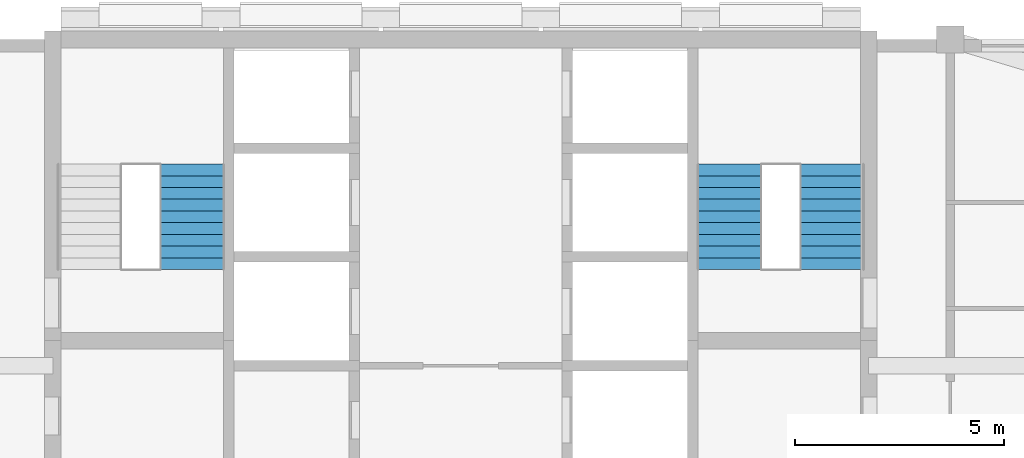
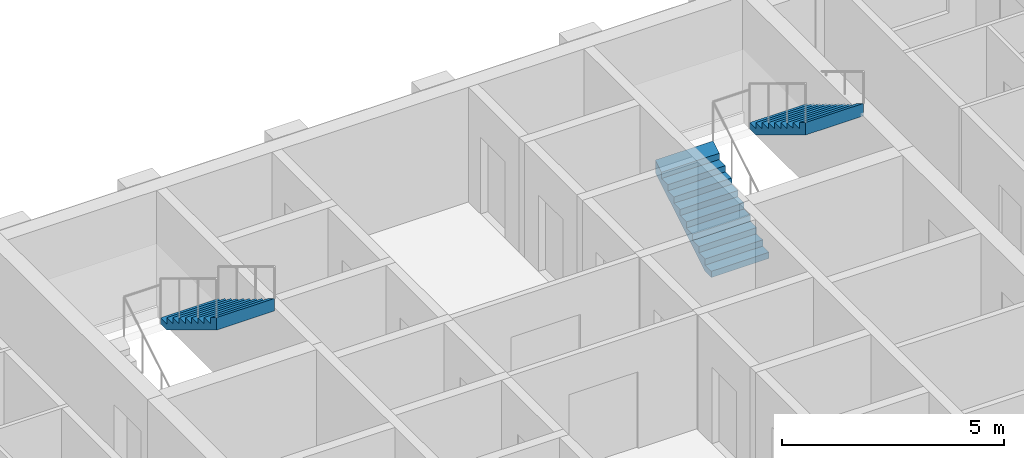
# One storey, part 11 of 13: 3 stair flights, 2 elements without a shape of their own.
"""IFC4 building model written with IfcOpenShell, lengths in metres."""

from ifc_helpers import new_model, si_unit, direction, frame, origin, place, context, subcontext, project, spatial, triangles, material, type_object, element, aggregate, save


model = new_model("IFC4")

# Units and contexts
model_context = context("Model", 3, precision=1e-05, world=origin(), true_north=direction((0.0, 1.0)))
body_context = subcontext(model_context, "Body", "Model", "MODEL_VIEW")
ifc_project = project(units=[si_unit("LENGTHUNIT", "METRE"), si_unit("AREAUNIT", "SQUARE_METRE"), si_unit("VOLUMEUNIT", "CUBIC_METRE"), si_unit("PLANEANGLEUNIT", "RADIAN"), si_unit("MASSUNIT", "GRAM", prefix="KILO")], contexts=[model_context])

# Site, building, storey
site_placement = place(None, origin())
site = spatial("IfcSite", under=ifc_project, at=site_placement, CompositionType="ELEMENT")
building_placement = place(site_placement, origin())
building = spatial("IfcBuilding", under=site, at=building_placement, Name="Ludao Terraces", CompositionType="ELEMENT")
storey_placement = place(building_placement, frame((0.0, 0.0, 246.0)))
storey = spatial("IfcBuildingStorey", under=building, at=storey_placement, Name="L67", CompositionType="ELEMENT", Elevation=246.0)

# Stair, stair flight
ifc_material = material(Name="Concrete C40", Category="concrete")
stair_type = type_object("IfcStairType", Name="INT Stair", PredefinedType="HALF_TURN_STAIR", material=ifc_material)
stair_1_placement = place(storey_placement, origin())
stair_1 = element("IfcStair", 1, at=stair_1_placement, inside=storey, type_object=stair_type, Name="EXIT STAIR 1", PredefinedType="HALF_TURN_STAIR")
stair_flight_type = type_object("IfcStairFlightType", Name="INT Stair flight", PredefinedType="STRAIGHT", material=ifc_material)
stair_flight_1_placement = place(storey_placement, frame((78.574951171875, 81.52001953125, 1.699951171875), z_axis=(0.0, 0.0, 1.0), x_axis=(0.0, -1.0, 0.0)))
stair_flight_1 = element("IfcStairFlight", 2, at=stair_flight_1_placement, type_object=stair_flight_type, Name="ST1 flight 2", NumberOfRisers=10, NumberOfTreads=9, PredefinedType="STRAIGHT", RiserHeight=0.17, TreadLength=0.28, context=body_context, shape_type="Tessellation", body=[
    triangles([(0.0, -0.75, 0.0), (0.0, -0.5, 0.0), (0.0, -0.25, 0.0), (0.0, 0.0, 0.0), (0.0, 0.25, 0.0), (0.0, 0.5, 0.0), (0.0, 0.75, 0.0), (0.0, -0.75, 0.169921875), (0.0, -0.5, 0.169921875), (0.0, -0.25, 0.169921875), (0.0, 0.0, 0.169921875), (0.0, 0.25, 0.169921875), (0.0, 0.5, 0.169921875), (0.0, 0.75, 0.169921875), (0.280029296875, -0.75, 0.169921875), (0.280029296875, -0.5, 0.169921875), (0.280029296875, -0.25, 0.169921875), (0.280029296875, 0.0, 0.169921875), (0.280029296875, 0.25, 0.169921875), (0.280029296875, 0.5, 0.169921875), (0.280029296875, 0.75, 0.169921875), (0.280029296875, -0.75, 0.340087890625), (0.280029296875, -0.5, 0.340087890625), (0.280029296875, -0.25, 0.340087890625), (0.280029296875, 0.0, 0.340087890625), (0.280029296875, 0.25, 0.340087890625), (0.280029296875, 0.5, 0.340087890625), (0.280029296875, 0.75, 0.340087890625), (0.56005859375, -0.75, 0.340087890625), (0.56005859375, -0.5, 0.340087890625), (0.56005859375, -0.25, 0.340087890625), (0.56005859375, 0.0, 0.340087890625), (0.56005859375, 0.25, 0.340087890625), (0.56005859375, 0.5, 0.340087890625), (0.56005859375, 0.75, 0.340087890625), (0.56005859375, -0.75, 0.510009765625), (0.56005859375, -0.5, 0.510009765625), (0.56005859375, -0.25, 0.510009765625), (0.56005859375, 0.0, 0.510009765625), (0.56005859375, 0.25, 0.510009765625), (0.56005859375, 0.5, 0.510009765625), (0.56005859375, 0.75, 0.510009765625), (0.840087890625, -0.75, 0.510009765625), (0.840087890625, -0.5, 0.510009765625), (0.840087890625, -0.25, 0.510009765625), (0.840087890625, 0.0, 0.510009765625), (0.840087890625, 0.25, 0.510009765625), (0.840087890625, 0.5, 0.510009765625), (0.840087890625, 0.75, 0.510009765625), (0.840087890625, -0.75, 0.679931640625), (0.840087890625, -0.5, 0.679931640625), (0.840087890625, -0.25, 0.679931640625), (0.840087890625, 0.0, 0.679931640625), (0.840087890625, 0.25, 0.679931640625), (0.840087890625, 0.5, 0.679931640625), (0.840087890625, 0.75, 0.679931640625), (1.1201171875, -0.75, 0.679931640625), (1.1201171875, -0.5, 0.679931640625), (1.1201171875, -0.25, 0.679931640625), (1.1201171875, 0.0, 0.679931640625), (1.1201171875, 0.25, 0.679931640625), (1.1201171875, 0.5, 0.679931640625), (1.1201171875, 0.75, 0.679931640625), (1.1201171875, -0.75, 0.85009765625), (1.1201171875, -0.5, 0.85009765625), (1.1201171875, -0.25, 0.85009765625), (1.1201171875, 0.0, 0.85009765625), (1.1201171875, 0.25, 0.85009765625), (1.1201171875, 0.5, 0.85009765625), (1.1201171875, 0.75, 0.85009765625), (1.39990234375, -0.75, 0.85009765625), (1.39990234375, -0.5, 0.85009765625), (1.39990234375, -0.25, 0.85009765625), (1.39990234375, 0.0, 0.85009765625), (1.39990234375, 0.25, 0.85009765625), (1.39990234375, 0.5, 0.85009765625), (1.39990234375, 0.75, 0.85009765625), (1.39990234375, -0.75, 1.02001953125), (1.39990234375, -0.5, 1.02001953125), (1.39990234375, -0.25, 1.02001953125), (1.39990234375, 0.0, 1.02001953125), (1.39990234375, 0.25, 1.02001953125), (1.39990234375, 0.5, 1.02001953125), (1.39990234375, 0.75, 1.02001953125), (1.679931640625, -0.75, 1.02001953125), (1.679931640625, -0.5, 1.02001953125), (1.679931640625, -0.25, 1.02001953125), (1.679931640625, 0.0, 1.02001953125), (1.679931640625, 0.25, 1.02001953125), (1.679931640625, 0.5, 1.02001953125), (1.679931640625, 0.75, 1.02001953125), (1.679931640625, -0.75, 1.18994140625), (1.679931640625, -0.5, 1.18994140625), (1.679931640625, -0.25, 1.18994140625), (1.679931640625, 0.0, 1.18994140625), (1.679931640625, 0.25, 1.18994140625), (1.679931640625, 0.5, 1.18994140625), (1.679931640625, 0.75, 1.18994140625), (1.9599609375, -0.75, 1.18994140625), (1.9599609375, -0.5, 1.18994140625), (1.9599609375, -0.25, 1.18994140625), (1.9599609375, 0.0, 1.18994140625), (1.9599609375, 0.25, 1.18994140625), (1.9599609375, 0.5, 1.18994140625), (1.9599609375, 0.75, 1.18994140625), (1.9599609375, -0.75, 1.360107421875), (1.9599609375, -0.5, 1.360107421875), (1.9599609375, -0.25, 1.360107421875), (1.9599609375, 0.0, 1.360107421875), (1.9599609375, 0.25, 1.360107421875), (1.9599609375, 0.5, 1.360107421875), (1.9599609375, 0.75, 1.360107421875), (2.239990234375, -0.75, 1.360107421875), (2.239990234375, -0.5, 1.360107421875), (2.239990234375, -0.25, 1.360107421875), (2.239990234375, 0.0, 1.360107421875), (2.239990234375, 0.25, 1.360107421875), (2.239990234375, 0.5, 1.360107421875), (2.239990234375, 0.75, 1.360107421875), (2.239990234375, -0.75, 1.530029296875), (2.239990234375, -0.5, 1.530029296875), (2.239990234375, -0.25, 1.530029296875), (2.239990234375, 0.0, 1.530029296875), (2.239990234375, 0.25, 1.530029296875), (2.239990234375, 0.5, 1.530029296875), (2.239990234375, 0.75, 1.530029296875), (2.52001953125, -0.75, 1.699951171875), (2.52001953125, -0.5, 1.699951171875), (2.52001953125, -0.25, 1.699951171875), (2.52001953125, 0.0, 1.699951171875), (2.52001953125, 0.25, 1.699951171875), (2.52001953125, 0.5, 1.699951171875), (2.52001953125, 0.75, 1.699951171875), (2.52001953125, -0.75, 1.354736328125), (2.52001953125, -0.5, 1.354736328125), (2.52001953125, -0.25, 1.354736328125), (2.52001953125, 0.0, 1.354736328125), (2.52001953125, 0.25, 1.354736328125), (2.52001953125, 0.5, 1.354736328125), (2.52001953125, 0.75, 1.354736328125), (0.288818359375, -0.75, 0.0), (0.288818359375, -0.5, 0.0), (0.288818359375, -0.25, 0.0), (0.288818359375, 0.0, 0.0), (0.288818359375, 0.25, 0.0), (0.288818359375, 0.5, 0.0), (0.288818359375, 0.75, 0.0)], [[1, 141, 134], [7, 140, 147], [134, 127, 120], [140, 126, 133], [134, 120, 113], [140, 119, 126], [134, 113, 106], [140, 112, 119], [134, 106, 99], [140, 105, 112], [99, 92, 85], [105, 91, 98], [134, 99, 85], [140, 91, 105], [85, 78, 71], [91, 77, 84], [134, 85, 71], [140, 77, 91], [71, 64, 57], [77, 63, 70], [134, 71, 57], [140, 63, 77], [57, 50, 43], [63, 49, 56], [134, 57, 43], [140, 49, 63], [43, 36, 29], [49, 35, 42], [134, 43, 29], [140, 35, 49], [29, 22, 15], [35, 21, 28], [134, 29, 15], [140, 21, 35], [1, 134, 15], [7, 21, 140], [15, 8, 1], [21, 7, 14], [1, 9, 2], [1, 8, 9], [2, 10, 3], [2, 9, 10], [3, 11, 4], [3, 10, 11], [4, 12, 5], [4, 11, 12], [5, 13, 6], [5, 12, 13], [6, 14, 7], [6, 13, 14], [8, 16, 9], [8, 15, 16], [9, 17, 10], [9, 16, 17], [10, 18, 11], [10, 17, 18], [11, 19, 12], [11, 18, 19], [12, 20, 13], [12, 19, 20], [13, 21, 14], [13, 20, 21], [15, 23, 16], [15, 22, 23], [16, 24, 17], [16, 23, 24], [17, 25, 18], [17, 24, 25], [18, 26, 19], [18, 25, 26], [19, 27, 20], [19, 26, 27], [20, 28, 21], [20, 27, 28], [22, 30, 23], [22, 29, 30], [23, 31, 24], [23, 30, 31], [24, 32, 25], [24, 31, 32], [25, 33, 26], [25, 32, 33], [26, 34, 27], [26, 33, 34], [27, 35, 28], [27, 34, 35], [29, 37, 30], [29, 36, 37], [30, 38, 31], [30, 37, 38], [31, 39, 32], [31, 38, 39], [32, 40, 33], [32, 39, 40], [33, 41, 34], [33, 40, 41], [34, 42, 35], [34, 41, 42], [36, 44, 37], [36, 43, 44], [37, 45, 38], [37, 44, 45], [38, 46, 39], [38, 45, 46], [39, 47, 40], [39, 46, 47], [40, 48, 41], [40, 47, 48], [41, 49, 42], [41, 48, 49], [43, 51, 44], [43, 50, 51], [44, 52, 45], [44, 51, 52], [45, 53, 46], [45, 52, 53], [46, 54, 47], [46, 53, 54], [47, 55, 48], [47, 54, 55], [48, 56, 49], [48, 55, 56], [50, 58, 51], [50, 57, 58], [51, 59, 52], [51, 58, 59], [52, 60, 53], [52, 59, 60], [53, 61, 54], [53, 60, 61], [54, 62, 55], [54, 61, 62], [55, 63, 56], [55, 62, 63], [57, 65, 58], [57, 64, 65], [58, 66, 59], [58, 65, 66], [59, 67, 60], [59, 66, 67], [60, 68, 61], [60, 67, 68], [61, 69, 62], [61, 68, 69], [62, 70, 63], [62, 69, 70], [64, 72, 65], [64, 71, 72], [65, 73, 66], [65, 72, 73], [66, 74, 67], [66, 73, 74], [67, 75, 68], [67, 74, 75], [68, 76, 69], [68, 75, 76], [69, 77, 70], [69, 76, 77], [71, 79, 72], [71, 78, 79], [72, 80, 73], [72, 79, 80], [73, 81, 74], [73, 80, 81], [74, 82, 75], [74, 81, 82], [75, 83, 76], [75, 82, 83], [76, 84, 77], [76, 83, 84], [78, 86, 79], [78, 85, 86], [79, 87, 80], [79, 86, 87], [80, 88, 81], [80, 87, 88], [81, 89, 82], [81, 88, 89], [82, 90, 83], [82, 89, 90], [83, 91, 84], [83, 90, 91], [85, 93, 86], [85, 92, 93], [86, 94, 87], [86, 93, 94], [87, 95, 88], [87, 94, 95], [88, 96, 89], [88, 95, 96], [89, 97, 90], [89, 96, 97], [90, 98, 91], [90, 97, 98], [92, 100, 93], [92, 99, 100], [93, 101, 94], [93, 100, 101], [94, 102, 95], [94, 101, 102], [95, 103, 96], [95, 102, 103], [96, 104, 97], [96, 103, 104], [97, 105, 98], [97, 104, 105], [99, 107, 100], [99, 106, 107], [100, 108, 101], [100, 107, 108], [101, 109, 102], [101, 108, 109], [102, 110, 103], [102, 109, 110], [103, 111, 104], [103, 110, 111], [104, 112, 105], [104, 111, 112], [106, 114, 107], [106, 113, 114], [107, 115, 108], [107, 114, 115], [108, 116, 109], [108, 115, 116], [109, 117, 110], [109, 116, 117], [110, 118, 111], [110, 117, 118], [111, 119, 112], [111, 118, 119], [113, 121, 114], [113, 120, 121], [114, 122, 115], [114, 121, 122], [115, 123, 116], [115, 122, 123], [116, 124, 117], [116, 123, 124], [117, 125, 118], [117, 124, 125], [118, 126, 119], [118, 125, 126], [120, 128, 121], [120, 127, 128], [121, 129, 122], [121, 128, 129], [122, 130, 123], [122, 129, 130], [123, 131, 124], [123, 130, 131], [124, 132, 125], [124, 131, 132], [125, 133, 126], [125, 132, 133], [127, 135, 128], [127, 134, 135], [128, 136, 129], [128, 135, 136], [129, 137, 130], [129, 136, 137], [130, 138, 131], [130, 137, 138], [131, 139, 132], [131, 138, 139], [132, 140, 133], [132, 139, 140], [134, 142, 135], [134, 141, 142], [135, 143, 136], [135, 142, 143], [136, 144, 137], [136, 143, 144], [137, 145, 138], [137, 144, 145], [138, 146, 139], [138, 145, 146], [139, 147, 140], [139, 146, 147], [141, 2, 142], [141, 1, 2], [142, 3, 143], [142, 2, 3], [143, 4, 144], [143, 3, 4], [144, 5, 145], [144, 4, 5], [145, 6, 146], [145, 5, 6], [146, 7, 147], [146, 6, 7]], closed=True),
])
aggregate(stair_1, [stair_flight_1])

# Stair, stair flights
stair_2_placement = place(storey_placement, origin())
stair_2 = element("IfcStair", 3, at=stair_2_placement, inside=storey, type_object=stair_type, Name="EXIT STAIR 2", PredefinedType="HALF_TURN_STAIR")
stair_flight_2_placement = place(storey_placement, frame((91.425048828125, 79.0, 0.0), z_axis=(0.0, 0.0, 1.0), x_axis=(0.0, 1.0, 0.0)))
stair_flight_2 = element("IfcStairFlight", 4, at=stair_flight_2_placement, type_object=stair_flight_type, Name="ST2 flight 1", NumberOfRisers=10, NumberOfTreads=9, PredefinedType="STRAIGHT", RiserHeight=0.17, TreadLength=0.28, context=body_context, shape_type="Tessellation", body=[
    triangles([(0.0, -0.75, 0.0), (0.0, -0.5, 0.0), (0.0, -0.25, 0.0), (0.0, 0.0, 0.0), (0.0, 0.25, 0.0), (0.0, 0.5, 0.0), (0.0, 0.75, 0.0), (0.0, -0.75, 0.169921875), (0.0, -0.5, 0.169921875), (0.0, -0.25, 0.169921875), (0.0, 0.0, 0.169921875), (0.0, 0.25, 0.169921875), (0.0, 0.5, 0.169921875), (0.0, 0.75, 0.169921875), (0.280029296875, -0.75, 0.169921875), (0.280029296875, -0.5, 0.169921875), (0.280029296875, -0.25, 0.169921875), (0.280029296875, 0.0, 0.169921875), (0.280029296875, 0.25, 0.169921875), (0.280029296875, 0.5, 0.169921875), (0.280029296875, 0.75, 0.169921875), (0.280029296875, -0.75, 0.340087890625), (0.280029296875, -0.5, 0.340087890625), (0.280029296875, -0.25, 0.340087890625), (0.280029296875, 0.0, 0.340087890625), (0.280029296875, 0.25, 0.340087890625), (0.280029296875, 0.5, 0.340087890625), (0.280029296875, 0.75, 0.340087890625), (0.56005859375, -0.75, 0.340087890625), (0.56005859375, -0.5, 0.340087890625), (0.56005859375, -0.25, 0.340087890625), (0.56005859375, 0.0, 0.340087890625), (0.56005859375, 0.25, 0.340087890625), (0.56005859375, 0.5, 0.340087890625), (0.56005859375, 0.75, 0.340087890625), (0.56005859375, -0.75, 0.510009765625), (0.56005859375, -0.5, 0.510009765625), (0.56005859375, -0.25, 0.510009765625), (0.56005859375, 0.0, 0.510009765625), (0.56005859375, 0.25, 0.510009765625), (0.56005859375, 0.5, 0.510009765625), (0.56005859375, 0.75, 0.510009765625), (0.840087890625, -0.75, 0.510009765625), (0.840087890625, -0.5, 0.510009765625), (0.840087890625, -0.25, 0.510009765625), (0.840087890625, 0.0, 0.510009765625), (0.840087890625, 0.25, 0.510009765625), (0.840087890625, 0.5, 0.510009765625), (0.840087890625, 0.75, 0.510009765625), (0.840087890625, -0.75, 0.679931640625), (0.840087890625, -0.5, 0.679931640625), (0.840087890625, -0.25, 0.679931640625), (0.840087890625, 0.0, 0.679931640625), (0.840087890625, 0.25, 0.679931640625), (0.840087890625, 0.5, 0.679931640625), (0.840087890625, 0.75, 0.679931640625), (1.1201171875, -0.75, 0.679931640625), (1.1201171875, -0.5, 0.679931640625), (1.1201171875, -0.25, 0.679931640625), (1.1201171875, 0.0, 0.679931640625), (1.1201171875, 0.25, 0.679931640625), (1.1201171875, 0.5, 0.679931640625), (1.1201171875, 0.75, 0.679931640625), (1.1201171875, -0.75, 0.85009765625), (1.1201171875, -0.5, 0.85009765625), (1.1201171875, -0.25, 0.85009765625), (1.1201171875, 0.0, 0.85009765625), (1.1201171875, 0.25, 0.85009765625), (1.1201171875, 0.5, 0.85009765625), (1.1201171875, 0.75, 0.85009765625), (1.39990234375, -0.75, 0.85009765625), (1.39990234375, -0.5, 0.85009765625), (1.39990234375, -0.25, 0.85009765625), (1.39990234375, 0.0, 0.85009765625), (1.39990234375, 0.25, 0.85009765625), (1.39990234375, 0.5, 0.85009765625), (1.39990234375, 0.75, 0.85009765625), (1.39990234375, -0.75, 1.02001953125), (1.39990234375, -0.5, 1.02001953125), (1.39990234375, -0.25, 1.02001953125), (1.39990234375, 0.0, 1.02001953125), (1.39990234375, 0.25, 1.02001953125), (1.39990234375, 0.5, 1.02001953125), (1.39990234375, 0.75, 1.02001953125), (1.679931640625, -0.75, 1.02001953125), (1.679931640625, -0.5, 1.02001953125), (1.679931640625, -0.25, 1.02001953125), (1.679931640625, 0.0, 1.02001953125), (1.679931640625, 0.25, 1.02001953125), (1.679931640625, 0.5, 1.02001953125), (1.679931640625, 0.75, 1.02001953125), (1.679931640625, -0.75, 1.18994140625), (1.679931640625, -0.5, 1.18994140625), (1.679931640625, -0.25, 1.18994140625), (1.679931640625, 0.0, 1.18994140625), (1.679931640625, 0.25, 1.18994140625), (1.679931640625, 0.5, 1.18994140625), (1.679931640625, 0.75, 1.18994140625), (1.9599609375, -0.75, 1.18994140625), (1.9599609375, -0.5, 1.18994140625), (1.9599609375, -0.25, 1.18994140625), (1.9599609375, 0.0, 1.18994140625), (1.9599609375, 0.25, 1.18994140625), (1.9599609375, 0.5, 1.18994140625), (1.9599609375, 0.75, 1.18994140625), (1.9599609375, -0.75, 1.360107421875), (1.9599609375, -0.5, 1.360107421875), (1.9599609375, -0.25, 1.360107421875), (1.9599609375, 0.0, 1.360107421875), (1.9599609375, 0.25, 1.360107421875), (1.9599609375, 0.5, 1.360107421875), (1.9599609375, 0.75, 1.360107421875), (2.239990234375, -0.75, 1.360107421875), (2.239990234375, -0.5, 1.360107421875), (2.239990234375, -0.25, 1.360107421875), (2.239990234375, 0.0, 1.360107421875), (2.239990234375, 0.25, 1.360107421875), (2.239990234375, 0.5, 1.360107421875), (2.239990234375, 0.75, 1.360107421875), (2.239990234375, -0.75, 1.530029296875), (2.239990234375, -0.5, 1.530029296875), (2.239990234375, -0.25, 1.530029296875), (2.239990234375, 0.0, 1.530029296875), (2.239990234375, 0.25, 1.530029296875), (2.239990234375, 0.5, 1.530029296875), (2.239990234375, 0.75, 1.530029296875), (2.52001953125, -0.75, 1.699951171875), (2.52001953125, -0.5, 1.699951171875), (2.52001953125, -0.25, 1.699951171875), (2.52001953125, 0.0, 1.699951171875), (2.52001953125, 0.25, 1.699951171875), (2.52001953125, 0.5, 1.699951171875), (2.52001953125, 0.75, 1.699951171875), (2.52001953125, -0.75, 1.354736328125), (2.52001953125, -0.5, 1.354736328125), (2.52001953125, -0.25, 1.354736328125), (2.52001953125, 0.0, 1.354736328125), (2.52001953125, 0.25, 1.354736328125), (2.52001953125, 0.5, 1.354736328125), (2.52001953125, 0.75, 1.354736328125), (0.288818359375, -0.75, 0.0), (0.288818359375, -0.5, 0.0), (0.288818359375, -0.25, 0.0), (0.288818359375, 0.0, 0.0), (0.288818359375, 0.25, 0.0), (0.288818359375, 0.5, 0.0), (0.288818359375, 0.75, 0.0)], [[1, 141, 134], [7, 140, 147], [134, 127, 120], [140, 126, 133], [134, 120, 113], [140, 119, 126], [134, 113, 106], [140, 112, 119], [134, 106, 99], [140, 105, 112], [99, 92, 85], [105, 91, 98], [134, 99, 85], [140, 91, 105], [85, 78, 71], [91, 77, 84], [134, 85, 71], [140, 77, 91], [71, 64, 57], [77, 63, 70], [134, 71, 57], [140, 63, 77], [57, 50, 43], [63, 49, 56], [134, 57, 43], [140, 49, 63], [43, 36, 29], [49, 35, 42], [134, 43, 29], [140, 35, 49], [29, 22, 15], [35, 21, 28], [134, 29, 15], [140, 21, 35], [1, 134, 15], [7, 21, 140], [15, 8, 1], [21, 7, 14], [1, 9, 2], [1, 8, 9], [2, 10, 3], [2, 9, 10], [3, 11, 4], [3, 10, 11], [4, 12, 5], [4, 11, 12], [5, 13, 6], [5, 12, 13], [6, 14, 7], [6, 13, 14], [8, 16, 9], [8, 15, 16], [9, 17, 10], [9, 16, 17], [10, 18, 11], [10, 17, 18], [11, 19, 12], [11, 18, 19], [12, 20, 13], [12, 19, 20], [13, 21, 14], [13, 20, 21], [15, 23, 16], [15, 22, 23], [16, 24, 17], [16, 23, 24], [17, 25, 18], [17, 24, 25], [18, 26, 19], [18, 25, 26], [19, 27, 20], [19, 26, 27], [20, 28, 21], [20, 27, 28], [22, 30, 23], [22, 29, 30], [23, 31, 24], [23, 30, 31], [24, 32, 25], [24, 31, 32], [25, 33, 26], [25, 32, 33], [26, 34, 27], [26, 33, 34], [27, 35, 28], [27, 34, 35], [29, 37, 30], [29, 36, 37], [30, 38, 31], [30, 37, 38], [31, 39, 32], [31, 38, 39], [32, 40, 33], [32, 39, 40], [33, 41, 34], [33, 40, 41], [34, 42, 35], [34, 41, 42], [36, 44, 37], [36, 43, 44], [37, 45, 38], [37, 44, 45], [38, 46, 39], [38, 45, 46], [39, 47, 40], [39, 46, 47], [40, 48, 41], [40, 47, 48], [41, 49, 42], [41, 48, 49], [43, 51, 44], [43, 50, 51], [44, 52, 45], [44, 51, 52], [45, 53, 46], [45, 52, 53], [46, 54, 47], [46, 53, 54], [47, 55, 48], [47, 54, 55], [48, 56, 49], [48, 55, 56], [50, 58, 51], [50, 57, 58], [51, 59, 52], [51, 58, 59], [52, 60, 53], [52, 59, 60], [53, 61, 54], [53, 60, 61], [54, 62, 55], [54, 61, 62], [55, 63, 56], [55, 62, 63], [57, 65, 58], [57, 64, 65], [58, 66, 59], [58, 65, 66], [59, 67, 60], [59, 66, 67], [60, 68, 61], [60, 67, 68], [61, 69, 62], [61, 68, 69], [62, 70, 63], [62, 69, 70], [64, 72, 65], [64, 71, 72], [65, 73, 66], [65, 72, 73], [66, 74, 67], [66, 73, 74], [67, 75, 68], [67, 74, 75], [68, 76, 69], [68, 75, 76], [69, 77, 70], [69, 76, 77], [71, 79, 72], [71, 78, 79], [72, 80, 73], [72, 79, 80], [73, 81, 74], [73, 80, 81], [74, 82, 75], [74, 81, 82], [75, 83, 76], [75, 82, 83], [76, 84, 77], [76, 83, 84], [78, 86, 79], [78, 85, 86], [79, 87, 80], [79, 86, 87], [80, 88, 81], [80, 87, 88], [81, 89, 82], [81, 88, 89], [82, 90, 83], [82, 89, 90], [83, 91, 84], [83, 90, 91], [85, 93, 86], [85, 92, 93], [86, 94, 87], [86, 93, 94], [87, 95, 88], [87, 94, 95], [88, 96, 89], [88, 95, 96], [89, 97, 90], [89, 96, 97], [90, 98, 91], [90, 97, 98], [92, 100, 93], [92, 99, 100], [93, 101, 94], [93, 100, 101], [94, 102, 95], [94, 101, 102], [95, 103, 96], [95, 102, 103], [96, 104, 97], [96, 103, 104], [97, 105, 98], [97, 104, 105], [99, 107, 100], [99, 106, 107], [100, 108, 101], [100, 107, 108], [101, 109, 102], [101, 108, 109], [102, 110, 103], [102, 109, 110], [103, 111, 104], [103, 110, 111], [104, 112, 105], [104, 111, 112], [106, 114, 107], [106, 113, 114], [107, 115, 108], [107, 114, 115], [108, 116, 109], [108, 115, 116], [109, 117, 110], [109, 116, 117], [110, 118, 111], [110, 117, 118], [111, 119, 112], [111, 118, 119], [113, 121, 114], [113, 120, 121], [114, 122, 115], [114, 121, 122], [115, 123, 116], [115, 122, 123], [116, 124, 117], [116, 123, 124], [117, 125, 118], [117, 124, 125], [118, 126, 119], [118, 125, 126], [120, 128, 121], [120, 127, 128], [121, 129, 122], [121, 128, 129], [122, 130, 123], [122, 129, 130], [123, 131, 124], [123, 130, 131], [124, 132, 125], [124, 131, 132], [125, 133, 126], [125, 132, 133], [127, 135, 128], [127, 134, 135], [128, 136, 129], [128, 135, 136], [129, 137, 130], [129, 136, 137], [130, 138, 131], [130, 137, 138], [131, 139, 132], [131, 138, 139], [132, 140, 133], [132, 139, 140], [134, 142, 135], [134, 141, 142], [135, 143, 136], [135, 142, 143], [136, 144, 137], [136, 143, 144], [137, 145, 138], [137, 144, 145], [138, 146, 139], [138, 145, 146], [139, 147, 140], [139, 146, 147], [141, 2, 142], [141, 1, 2], [142, 3, 143], [142, 2, 3], [143, 4, 144], [143, 3, 4], [144, 5, 145], [144, 4, 5], [145, 6, 146], [145, 5, 6], [146, 7, 147], [146, 6, 7]], closed=True),
])
stair_flight_3_placement = place(storey_placement, frame((93.875, 81.52001953125, 1.699951171875), z_axis=(0.0, 0.0, 1.0), x_axis=(0.0, -1.0, 0.0)))
stair_flight_3 = element("IfcStairFlight", 5, at=stair_flight_3_placement, type_object=stair_flight_type, Name="ST2 flight 2", NumberOfRisers=10, NumberOfTreads=9, PredefinedType="STRAIGHT", RiserHeight=0.17, TreadLength=0.28, context=body_context, shape_type="Tessellation", body=[
    triangles([(0.0, -0.75, 0.0), (0.0, -0.5, 0.0), (0.0, -0.25, 0.0), (0.0, 0.0, 0.0), (0.0, 0.25, 0.0), (0.0, 0.5, 0.0), (0.0, 0.75, 0.0), (0.0, -0.75, 0.169921875), (0.0, -0.5, 0.169921875), (0.0, -0.25, 0.169921875), (0.0, 0.0, 0.169921875), (0.0, 0.25, 0.169921875), (0.0, 0.5, 0.169921875), (0.0, 0.75, 0.169921875), (0.280029296875, -0.75, 0.169921875), (0.280029296875, -0.5, 0.169921875), (0.280029296875, -0.25, 0.169921875), (0.280029296875, 0.0, 0.169921875), (0.280029296875, 0.25, 0.169921875), (0.280029296875, 0.5, 0.169921875), (0.280029296875, 0.75, 0.169921875), (0.280029296875, -0.75, 0.340087890625), (0.280029296875, -0.5, 0.340087890625), (0.280029296875, -0.25, 0.340087890625), (0.280029296875, 0.0, 0.340087890625), (0.280029296875, 0.25, 0.340087890625), (0.280029296875, 0.5, 0.340087890625), (0.280029296875, 0.75, 0.340087890625), (0.56005859375, -0.75, 0.340087890625), (0.56005859375, -0.5, 0.340087890625), (0.56005859375, -0.25, 0.340087890625), (0.56005859375, 0.0, 0.340087890625), (0.56005859375, 0.25, 0.340087890625), (0.56005859375, 0.5, 0.340087890625), (0.56005859375, 0.75, 0.340087890625), (0.56005859375, -0.75, 0.510009765625), (0.56005859375, -0.5, 0.510009765625), (0.56005859375, -0.25, 0.510009765625), (0.56005859375, 0.0, 0.510009765625), (0.56005859375, 0.25, 0.510009765625), (0.56005859375, 0.5, 0.510009765625), (0.56005859375, 0.75, 0.510009765625), (0.840087890625, -0.75, 0.510009765625), (0.840087890625, -0.5, 0.510009765625), (0.840087890625, -0.25, 0.510009765625), (0.840087890625, 0.0, 0.510009765625), (0.840087890625, 0.25, 0.510009765625), (0.840087890625, 0.5, 0.510009765625), (0.840087890625, 0.75, 0.510009765625), (0.840087890625, -0.75, 0.679931640625), (0.840087890625, -0.5, 0.679931640625), (0.840087890625, -0.25, 0.679931640625), (0.840087890625, 0.0, 0.679931640625), (0.840087890625, 0.25, 0.679931640625), (0.840087890625, 0.5, 0.679931640625), (0.840087890625, 0.75, 0.679931640625), (1.1201171875, -0.75, 0.679931640625), (1.1201171875, -0.5, 0.679931640625), (1.1201171875, -0.25, 0.679931640625), (1.1201171875, 0.0, 0.679931640625), (1.1201171875, 0.25, 0.679931640625), (1.1201171875, 0.5, 0.679931640625), (1.1201171875, 0.75, 0.679931640625), (1.1201171875, -0.75, 0.85009765625), (1.1201171875, -0.5, 0.85009765625), (1.1201171875, -0.25, 0.85009765625), (1.1201171875, 0.0, 0.85009765625), (1.1201171875, 0.25, 0.85009765625), (1.1201171875, 0.5, 0.85009765625), (1.1201171875, 0.75, 0.85009765625), (1.39990234375, -0.75, 0.85009765625), (1.39990234375, -0.5, 0.85009765625), (1.39990234375, -0.25, 0.85009765625), (1.39990234375, 0.0, 0.85009765625), (1.39990234375, 0.25, 0.85009765625), (1.39990234375, 0.5, 0.85009765625), (1.39990234375, 0.75, 0.85009765625), (1.39990234375, -0.75, 1.02001953125), (1.39990234375, -0.5, 1.02001953125), (1.39990234375, -0.25, 1.02001953125), (1.39990234375, 0.0, 1.02001953125), (1.39990234375, 0.25, 1.02001953125), (1.39990234375, 0.5, 1.02001953125), (1.39990234375, 0.75, 1.02001953125), (1.679931640625, -0.75, 1.02001953125), (1.679931640625, -0.5, 1.02001953125), (1.679931640625, -0.25, 1.02001953125), (1.679931640625, 0.0, 1.02001953125), (1.679931640625, 0.25, 1.02001953125), (1.679931640625, 0.5, 1.02001953125), (1.679931640625, 0.75, 1.02001953125), (1.679931640625, -0.75, 1.18994140625), (1.679931640625, -0.5, 1.18994140625), (1.679931640625, -0.25, 1.18994140625), (1.679931640625, 0.0, 1.18994140625), (1.679931640625, 0.25, 1.18994140625), (1.679931640625, 0.5, 1.18994140625), (1.679931640625, 0.75, 1.18994140625), (1.9599609375, -0.75, 1.18994140625), (1.9599609375, -0.5, 1.18994140625), (1.9599609375, -0.25, 1.18994140625), (1.9599609375, 0.0, 1.18994140625), (1.9599609375, 0.25, 1.18994140625), (1.9599609375, 0.5, 1.18994140625), (1.9599609375, 0.75, 1.18994140625), (1.9599609375, -0.75, 1.360107421875), (1.9599609375, -0.5, 1.360107421875), (1.9599609375, -0.25, 1.360107421875), (1.9599609375, 0.0, 1.360107421875), (1.9599609375, 0.25, 1.360107421875), (1.9599609375, 0.5, 1.360107421875), (1.9599609375, 0.75, 1.360107421875), (2.239990234375, -0.75, 1.360107421875), (2.239990234375, -0.5, 1.360107421875), (2.239990234375, -0.25, 1.360107421875), (2.239990234375, 0.0, 1.360107421875), (2.239990234375, 0.25, 1.360107421875), (2.239990234375, 0.5, 1.360107421875), (2.239990234375, 0.75, 1.360107421875), (2.239990234375, -0.75, 1.530029296875), (2.239990234375, -0.5, 1.530029296875), (2.239990234375, -0.25, 1.530029296875), (2.239990234375, 0.0, 1.530029296875), (2.239990234375, 0.25, 1.530029296875), (2.239990234375, 0.5, 1.530029296875), (2.239990234375, 0.75, 1.530029296875), (2.52001953125, -0.75, 1.699951171875), (2.52001953125, -0.5, 1.699951171875), (2.52001953125, -0.25, 1.699951171875), (2.52001953125, 0.0, 1.699951171875), (2.52001953125, 0.25, 1.699951171875), (2.52001953125, 0.5, 1.699951171875), (2.52001953125, 0.75, 1.699951171875), (2.52001953125, -0.75, 1.354736328125), (2.52001953125, -0.5, 1.354736328125), (2.52001953125, -0.25, 1.354736328125), (2.52001953125, 0.0, 1.354736328125), (2.52001953125, 0.25, 1.354736328125), (2.52001953125, 0.5, 1.354736328125), (2.52001953125, 0.75, 1.354736328125), (0.288818359375, -0.75, 0.0), (0.288818359375, -0.5, 0.0), (0.288818359375, -0.25, 0.0), (0.288818359375, 0.0, 0.0), (0.288818359375, 0.25, 0.0), (0.288818359375, 0.5, 0.0), (0.288818359375, 0.75, 0.0)], [[1, 141, 134], [7, 140, 147], [134, 127, 120], [140, 126, 133], [134, 120, 113], [140, 119, 126], [134, 113, 106], [140, 112, 119], [134, 106, 99], [140, 105, 112], [99, 92, 85], [105, 91, 98], [134, 99, 85], [140, 91, 105], [85, 78, 71], [91, 77, 84], [134, 85, 71], [140, 77, 91], [71, 64, 57], [77, 63, 70], [134, 71, 57], [140, 63, 77], [57, 50, 43], [63, 49, 56], [134, 57, 43], [140, 49, 63], [43, 36, 29], [49, 35, 42], [134, 43, 29], [140, 35, 49], [29, 22, 15], [35, 21, 28], [134, 29, 15], [140, 21, 35], [1, 134, 15], [7, 21, 140], [15, 8, 1], [21, 7, 14], [1, 9, 2], [1, 8, 9], [2, 10, 3], [2, 9, 10], [3, 11, 4], [3, 10, 11], [4, 12, 5], [4, 11, 12], [5, 13, 6], [5, 12, 13], [6, 14, 7], [6, 13, 14], [8, 16, 9], [8, 15, 16], [9, 17, 10], [9, 16, 17], [10, 18, 11], [10, 17, 18], [11, 19, 12], [11, 18, 19], [12, 20, 13], [12, 19, 20], [13, 21, 14], [13, 20, 21], [15, 23, 16], [15, 22, 23], [16, 24, 17], [16, 23, 24], [17, 25, 18], [17, 24, 25], [18, 26, 19], [18, 25, 26], [19, 27, 20], [19, 26, 27], [20, 28, 21], [20, 27, 28], [22, 30, 23], [22, 29, 30], [23, 31, 24], [23, 30, 31], [24, 32, 25], [24, 31, 32], [25, 33, 26], [25, 32, 33], [26, 34, 27], [26, 33, 34], [27, 35, 28], [27, 34, 35], [29, 37, 30], [29, 36, 37], [30, 38, 31], [30, 37, 38], [31, 39, 32], [31, 38, 39], [32, 40, 33], [32, 39, 40], [33, 41, 34], [33, 40, 41], [34, 42, 35], [34, 41, 42], [36, 44, 37], [36, 43, 44], [37, 45, 38], [37, 44, 45], [38, 46, 39], [38, 45, 46], [39, 47, 40], [39, 46, 47], [40, 48, 41], [40, 47, 48], [41, 49, 42], [41, 48, 49], [43, 51, 44], [43, 50, 51], [44, 52, 45], [44, 51, 52], [45, 53, 46], [45, 52, 53], [46, 54, 47], [46, 53, 54], [47, 55, 48], [47, 54, 55], [48, 56, 49], [48, 55, 56], [50, 58, 51], [50, 57, 58], [51, 59, 52], [51, 58, 59], [52, 60, 53], [52, 59, 60], [53, 61, 54], [53, 60, 61], [54, 62, 55], [54, 61, 62], [55, 63, 56], [55, 62, 63], [57, 65, 58], [57, 64, 65], [58, 66, 59], [58, 65, 66], [59, 67, 60], [59, 66, 67], [60, 68, 61], [60, 67, 68], [61, 69, 62], [61, 68, 69], [62, 70, 63], [62, 69, 70], [64, 72, 65], [64, 71, 72], [65, 73, 66], [65, 72, 73], [66, 74, 67], [66, 73, 74], [67, 75, 68], [67, 74, 75], [68, 76, 69], [68, 75, 76], [69, 77, 70], [69, 76, 77], [71, 79, 72], [71, 78, 79], [72, 80, 73], [72, 79, 80], [73, 81, 74], [73, 80, 81], [74, 82, 75], [74, 81, 82], [75, 83, 76], [75, 82, 83], [76, 84, 77], [76, 83, 84], [78, 86, 79], [78, 85, 86], [79, 87, 80], [79, 86, 87], [80, 88, 81], [80, 87, 88], [81, 89, 82], [81, 88, 89], [82, 90, 83], [82, 89, 90], [83, 91, 84], [83, 90, 91], [85, 93, 86], [85, 92, 93], [86, 94, 87], [86, 93, 94], [87, 95, 88], [87, 94, 95], [88, 96, 89], [88, 95, 96], [89, 97, 90], [89, 96, 97], [90, 98, 91], [90, 97, 98], [92, 100, 93], [92, 99, 100], [93, 101, 94], [93, 100, 101], [94, 102, 95], [94, 101, 102], [95, 103, 96], [95, 102, 103], [96, 104, 97], [96, 103, 104], [97, 105, 98], [97, 104, 105], [99, 107, 100], [99, 106, 107], [100, 108, 101], [100, 107, 108], [101, 109, 102], [101, 108, 109], [102, 110, 103], [102, 109, 110], [103, 111, 104], [103, 110, 111], [104, 112, 105], [104, 111, 112], [106, 114, 107], [106, 113, 114], [107, 115, 108], [107, 114, 115], [108, 116, 109], [108, 115, 116], [109, 117, 110], [109, 116, 117], [110, 118, 111], [110, 117, 118], [111, 119, 112], [111, 118, 119], [113, 121, 114], [113, 120, 121], [114, 122, 115], [114, 121, 122], [115, 123, 116], [115, 122, 123], [116, 124, 117], [116, 123, 124], [117, 125, 118], [117, 124, 125], [118, 126, 119], [118, 125, 126], [120, 128, 121], [120, 127, 128], [121, 129, 122], [121, 128, 129], [122, 130, 123], [122, 129, 130], [123, 131, 124], [123, 130, 131], [124, 132, 125], [124, 131, 132], [125, 133, 126], [125, 132, 133], [127, 135, 128], [127, 134, 135], [128, 136, 129], [128, 135, 136], [129, 137, 130], [129, 136, 137], [130, 138, 131], [130, 137, 138], [131, 139, 132], [131, 138, 139], [132, 140, 133], [132, 139, 140], [134, 142, 135], [134, 141, 142], [135, 143, 136], [135, 142, 143], [136, 144, 137], [136, 143, 144], [137, 145, 138], [137, 144, 145], [138, 146, 139], [138, 145, 146], [139, 147, 140], [139, 146, 147], [141, 2, 142], [141, 1, 2], [142, 3, 143], [142, 2, 3], [143, 4, 144], [143, 3, 4], [144, 5, 145], [144, 4, 5], [145, 6, 146], [145, 5, 6], [146, 7, 147], [146, 6, 7]], closed=True),
])
aggregate(stair_2, [stair_flight_2, stair_flight_3])

save(model, "model.ifc")
